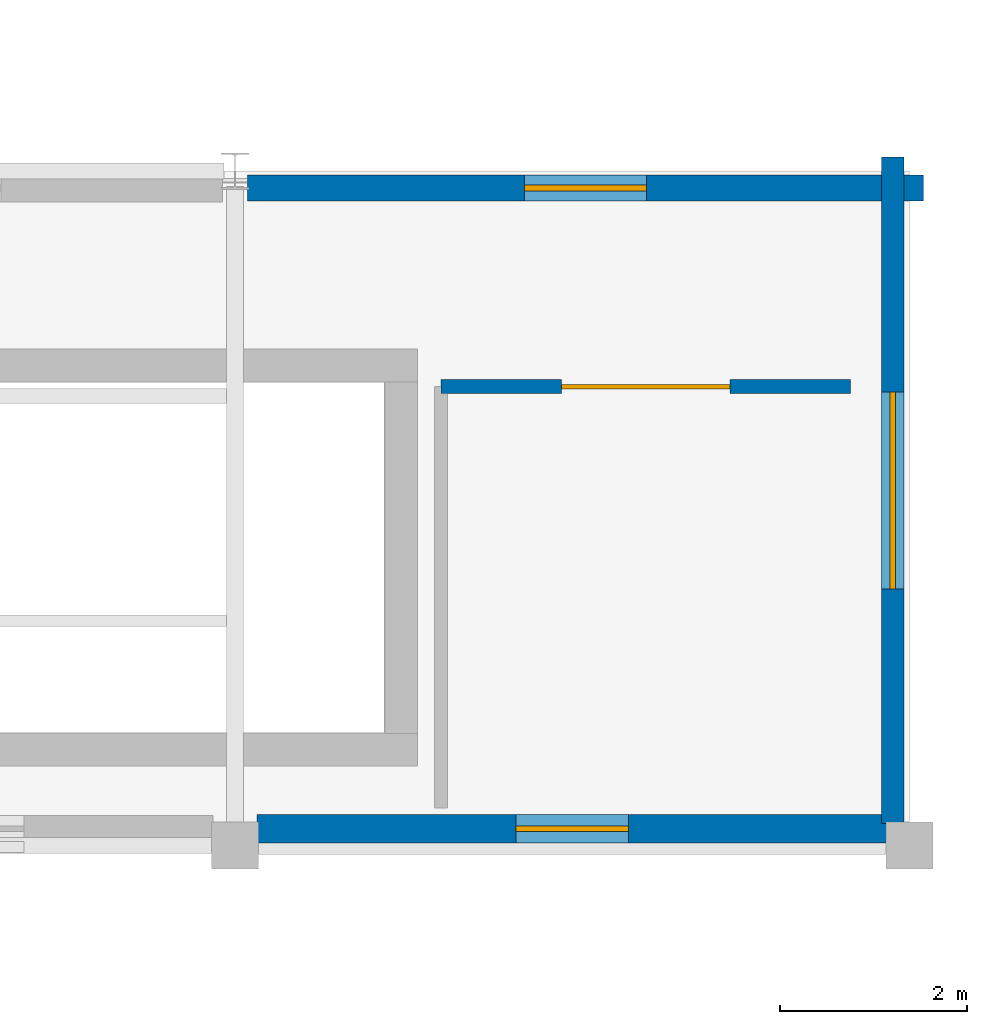
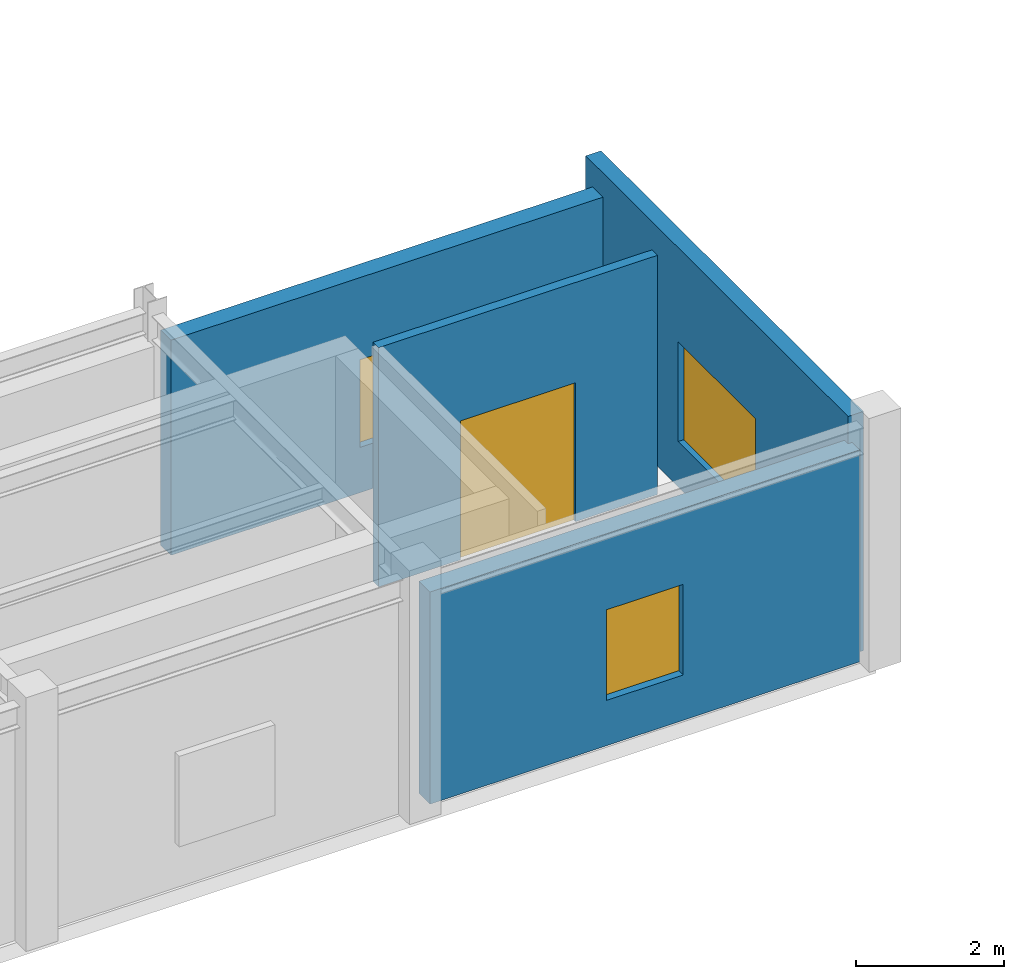
# One storey, part 34 of 47: 4 walls, 3 windows, 1 door, 4 openings.
"""IFC4 building model written with IfcOpenShell, lengths in metres."""

from ifc_helpers import new_model, si_unit, direction, frame, frame_2d, origin, place, context, subcontext, project, spatial, rectangle, extrude, material, layer, layer_set, type_object, element, fill, save


model = new_model("IFC4")

# Units and contexts
model_context = context("Model", 3, precision=1e-05, world=origin(), true_north=direction((0.0, 1.0)))
body_context = subcontext(model_context, "Body", "Model", "MODEL_VIEW")
ifc_project = project(units=[si_unit("LENGTHUNIT", "METRE"), si_unit("AREAUNIT", "SQUARE_METRE"), si_unit("VOLUMEUNIT", "CUBIC_METRE"), si_unit("PLANEANGLEUNIT", "RADIAN"), si_unit("MASSUNIT", "GRAM", prefix="KILO")], contexts=[model_context])

# Site, building, storey
site_placement = place(None, origin())
site = spatial("IfcSite", under=ifc_project, at=site_placement, CompositionType="ELEMENT")
building_placement = place(site_placement, origin())
building = spatial("IfcBuilding", under=site, at=building_placement, Name="Brisavento Harbour Community Centre", CompositionType="ELEMENT")
storey_placement = place(building_placement, frame((0.0, 0.0, 8.699951171875)))
storey = spatial("IfcBuildingStorey", under=building, at=storey_placement, Name="L02", CompositionType="ELEMENT", Elevation=8.699951171875)

# Wall, opening, window
ifc_material_1 = material(Name="Terracotta masonry unit", Category="masonry")
ifc_layer_1 = layer(ifc_material_1, 0.239990234375, Name="Terracotta masonry unit")
ifc_layer_set_1 = layer_set([ifc_layer_1], Name="Terracotta masonry unit")
wall_type_1 = type_object("IfcWallType", Name="WL-EXT-240", PredefinedType="SOLIDWALL", material=ifc_layer_set_1)
wall_1_placement = place(storey_placement, frame((172.6201171875, 86.550048828125, 0.0), z_axis=(0.0, 0.0, 1.0), x_axis=(0.0, -1.0, 0.0)))
wall_1 = element("IfcWall", 1, at=wall_1_placement, inside=storey, type_object=wall_type_1, Name="L02 V4 exterior wall 0253", PredefinedType="SOLIDWALL", context=body_context, shape_type="SweptSolid", body=[
    extrude(rectangle(XDim=7.114990234375, YDim=0.239990234375, at=frame_2d((3.5576171875, 0.0))), origin(), (0.0, 0.0, 1.0), 3.9599609375),
])
opening_1_placement = place(wall_1_placement, frame((2.507568359375, 0.0, 0.75)))
opening_1 = element("IfcOpeningElement", 2, at=opening_1_placement, cuts=wall_1, Name="Opening W-22", PredefinedType="OPENING", context=body_context, shape_type="SweptSolid", body=[
    extrude(rectangle(XDim=2.10009765625, YDim=1.64990234375, at=frame_2d((1.050048828125, 0.824951171875))), frame((0.0, 0.1298828125, 0.0), z_axis=(0.0, -1.0, 0.0), x_axis=(1.0, 0.0, 0.0)), (0.0, 0.0, 1.0), 0.260009765625),
])
ifc_material_2 = material(Name="Solar-control laminated low-E glass", Category="glass")
window_type_1 = type_object("IfcWindowType", Name="WIN-CAS-22", PartitioningType="SINGLE_PANEL", PredefinedType="WINDOW", material=ifc_material_2)
window_1_placement = place(opening_1_placement, origin())
window_1 = element("IfcWindow", 3, at=window_1_placement, inside=storey, type_object=window_type_1, Name="L02 V4 impact casement window 0130", OverallHeight=1.64990234375, OverallWidth=2.10009765625, PartitioningType="SINGLE_PANEL", PredefinedType="WINDOW", context=body_context, shape_type="SweptSolid", body=[
    extrude(rectangle(XDim=2.10009765625, YDim=1.64990234375, at=frame_2d((1.050048828125, 0.824951171875))), frame((0.0, 0.030029296875, 0.0), z_axis=(0.0, -1.0, 0.0), x_axis=(1.0, 0.0, 0.0)), (0.0, 0.0, 1.0), 0.06005859375),
])
fill(opening_1, window_1)

ifc_material_3 = material(Name="Precast concrete C40/50", Category="concrete")
ifc_layer_2 = layer(ifc_material_3, 0.280029296875, Name="Precast concrete C40/50")
ifc_layer_set_2 = layer_set([ifc_layer_2], Name="Precast concrete C40/50")
wall_type_2 = type_object("IfcWallType", Name="WL-EXT-280", PredefinedType="SOLIDWALL", material=ifc_layer_set_2)
wall_2_placement = place(storey_placement, frame((165.735107421875, 86.219970703125, 0.0), z_axis=(0.0, 0.0, 1.0), x_axis=(1.0, 0.0, 0.0)))
wall_2 = element("IfcWall", 4, at=wall_2_placement, inside=storey, type_object=wall_type_2, Name="L02 V4 exterior wall 0261", PredefinedType="SOLIDWALL", context=body_context, shape_type="SweptSolid", body=[
    extrude(rectangle(XDim=7.21484375, YDim=0.280029296875, at=frame_2d((3.607421875, 0.0))), origin(), (0.0, 0.0, 1.0), 3.56005859375),
])
opening_2_placement = place(wall_2_placement, frame((2.95751953125, 0.0, 0.75)))
opening_2 = element("IfcOpeningElement", 5, at=opening_2_placement, cuts=wall_2, Name="Opening W-30", PredefinedType="OPENING", context=body_context, shape_type="SweptSolid", body=[
    extrude(rectangle(XDim=1.300048828125, YDim=1.449951171875, at=frame_2d((0.64990234375, 0.72509765625))), frame((0.0, 0.14990234375, 0.0), z_axis=(0.0, -1.0, 0.0), x_axis=(1.0, 0.0, 0.0)), (0.0, 0.0, 1.0), 0.300048828125),
])
window_type_2 = type_object("IfcWindowType", Name="WIN-CAS-30", PartitioningType="SINGLE_PANEL", PredefinedType="WINDOW", material=ifc_material_2)
window_2_placement = place(opening_2_placement, origin())
window_2 = element("IfcWindow", 6, at=window_2_placement, inside=storey, type_object=window_type_2, Name="L02 V4 impact casement window 0138", OverallHeight=1.449951171875, OverallWidth=1.300048828125, PartitioningType="SINGLE_PANEL", PredefinedType="WINDOW", context=body_context, shape_type="SweptSolid", body=[
    extrude(rectangle(XDim=1.300048828125, YDim=1.449951171875, at=frame_2d((0.64990234375, 0.72509765625))), frame((0.0, 0.030029296875, 0.0), z_axis=(0.0, -1.0, 0.0), x_axis=(1.0, 0.0, 0.0)), (0.0, 0.0, 1.0), 0.06005859375),
])
fill(opening_2, window_2)

ifc_material_4 = material(Name="Concrete C35/45", Category="concrete")
ifc_layer_3 = layer(ifc_material_4, 0.300048828125, Name="Concrete C35/45")
ifc_layer_set_3 = layer_set([ifc_layer_3], Name="Concrete C35/45")
wall_type_3 = type_object("IfcWallType", Name="WL-EXT-300", PredefinedType="SOLIDWALL", material=ifc_layer_set_3)
wall_3_placement = place(storey_placement, frame((172.56494140625, 79.3798828125, 0.0), z_axis=(0.0, 0.0, 1.0), x_axis=(-1.0, 0.0, 0.0)))
wall_3 = element("IfcWall", 7, at=wall_3_placement, inside=storey, type_object=wall_type_3, Name="L02 V4 exterior wall 0245", PredefinedType="SOLIDWALL", context=body_context, shape_type="SweptSolid", body=[
    extrude(rectangle(XDim=6.72998046875, YDim=0.300048828125, at=frame_2d((3.364990234375, 0.0))), origin(), (0.0, 0.0, 1.0), 3.510009765625),
])
opening_3_placement = place(wall_3_placement, frame((2.764892578125, 0.0, 0.75)))
opening_3 = element("IfcOpeningElement", 8, at=opening_3_placement, cuts=wall_3, Name="Opening W-14", PredefinedType="OPENING", context=body_context, shape_type="SweptSolid", body=[
    extrude(rectangle(XDim=1.199951171875, YDim=1.5, at=frame_2d((0.60009765625, 0.75))), frame((0.0, 0.16015625, 0.0), z_axis=(0.0, -1.0, 0.0), x_axis=(1.0, 0.0, 0.0)), (0.0, 0.0, 1.0), 0.320068359375),
])
window_type_3 = type_object("IfcWindowType", Name="WIN-CAS-14", PartitioningType="SINGLE_PANEL", PredefinedType="WINDOW", material=ifc_material_2)
window_3_placement = place(opening_3_placement, origin())
window_3 = element("IfcWindow", 9, at=window_3_placement, inside=storey, type_object=window_type_3, Name="L02 V4 impact casement window 0122", OverallHeight=1.5, OverallWidth=1.199951171875, PartitioningType="SINGLE_PANEL", PredefinedType="WINDOW", context=body_context, shape_type="SweptSolid", body=[
    extrude(rectangle(XDim=1.199951171875, YDim=1.5, at=frame_2d((0.60009765625, 0.75))), frame((0.0, 0.030029296875, 0.0), z_axis=(0.0, -1.0, 0.0), x_axis=(1.0, 0.0, 0.0)), (0.0, 0.0, 1.0), 0.06005859375),
])
fill(opening_3, window_3)

# Wall, opening, door
ifc_material_5 = material(Name="Moisture-resistant stud partition", Category="other")
ifc_layer_4 = layer(ifc_material_5, 0.14990234375, Name="Moisture-resistant stud partition")
ifc_layer_set_4 = layer_set([ifc_layer_4], Name="Moisture-resistant stud partition")
wall_type_4 = type_object("IfcWallType", Name="WL-PRT-150", PredefinedType="PARTITIONING", material=ifc_layer_set_4)
wall_4_placement = place(storey_placement, frame((172.169921875, 84.10009765625, 0.0), z_axis=(0.0, 0.0, 1.0), x_axis=(-1.0, 0.0, 0.0)))
wall_4 = element("IfcWall", 10, at=wall_4_placement, inside=storey, type_object=wall_type_4, Name="L02 Table Tennis and Recreation Room partition 0236", PredefinedType="PARTITIONING", context=body_context, shape_type="SweptSolid", body=[
    extrude(rectangle(XDim=4.369873046875, YDim=0.14990234375, at=frame_2d((2.18505859375, 0.0))), origin(), (0.0, 0.0, 1.0), 3.9599609375),
])
opening_4_placement = place(wall_4_placement, frame((1.284912109375, 0.0, 0.0)))
opening_4 = element("IfcOpeningElement", 11, at=opening_4_placement, cuts=wall_4, Name="Opening ID-01", PredefinedType="OPENING", context=body_context, shape_type="SweptSolid", body=[
    extrude(rectangle(XDim=1.800048828125, YDim=2.300048828125, at=frame_2d((0.89990234375, 1.14990234375))), frame((0.0, 0.0849609375, 0.0), z_axis=(0.0, -1.0, 0.0), x_axis=(1.0, 0.0, 0.0)), (0.0, 0.0, 1.0), 0.169921875),
])
ifc_material_6 = material(Name="Solid-core tropical timber door", Category="wood")
door_type = type_object("IfcDoorType", Name="DR-INT-180x230", OperationType="NOTDEFINED", PredefinedType="DOOR", material=ifc_material_6)
door_placement = place(opening_4_placement, origin())
door = element("IfcDoor", 12, at=door_placement, inside=storey, type_object=door_type, Name="L02 Table Tennis and Recreation Room door 0089", OperationType="SINGLE_SWING_RIGHT", OverallHeight=2.300048828125, OverallWidth=1.800048828125, PredefinedType="DOOR", context=body_context, shape_type="SweptSolid", body=[
    extrude(rectangle(XDim=1.800048828125, YDim=2.300048828125, at=frame_2d((0.89990234375, 1.14990234375))), frame((0.0, 0.02490234375, 0.0), z_axis=(0.0, -1.0, 0.0), x_axis=(1.0, 0.0, 0.0)), (0.0, 0.0, 1.0), 0.050048828125),
])
fill(opening_4, door)

save(model, "model.ifc")
